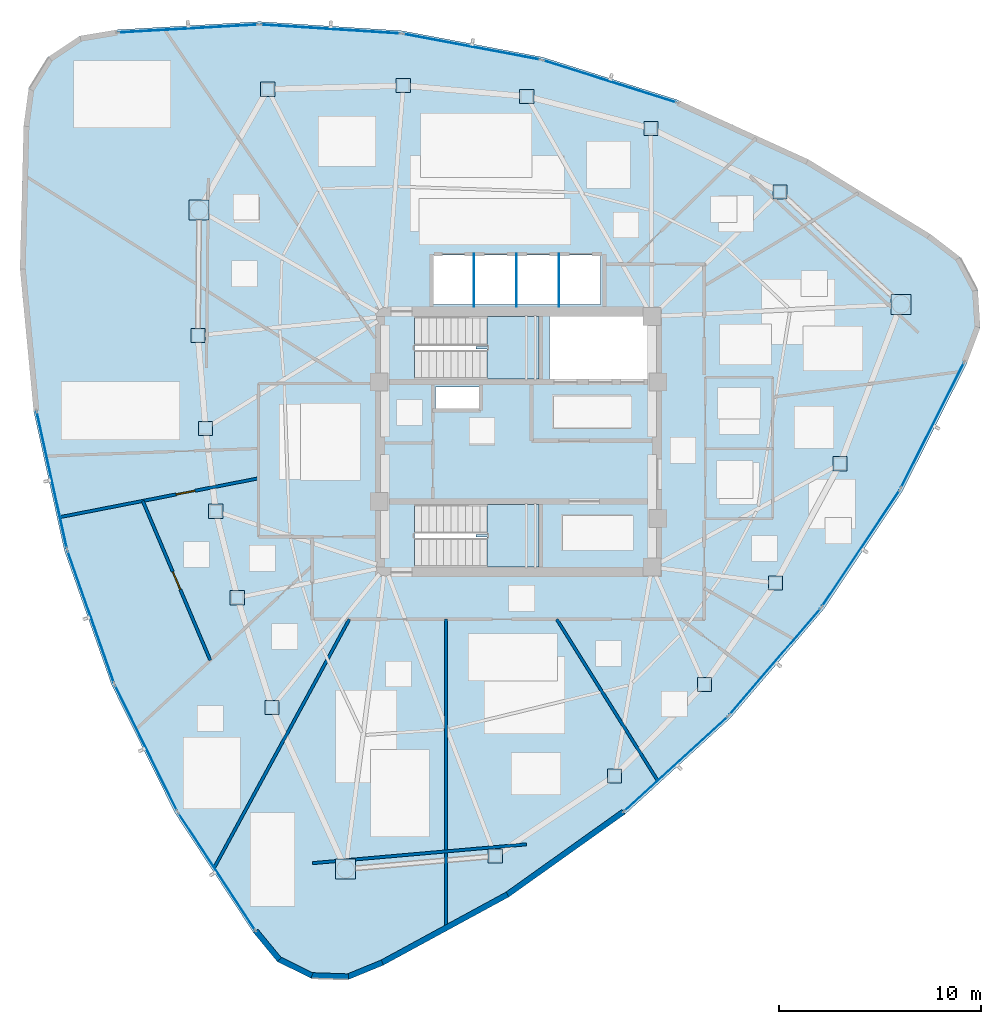
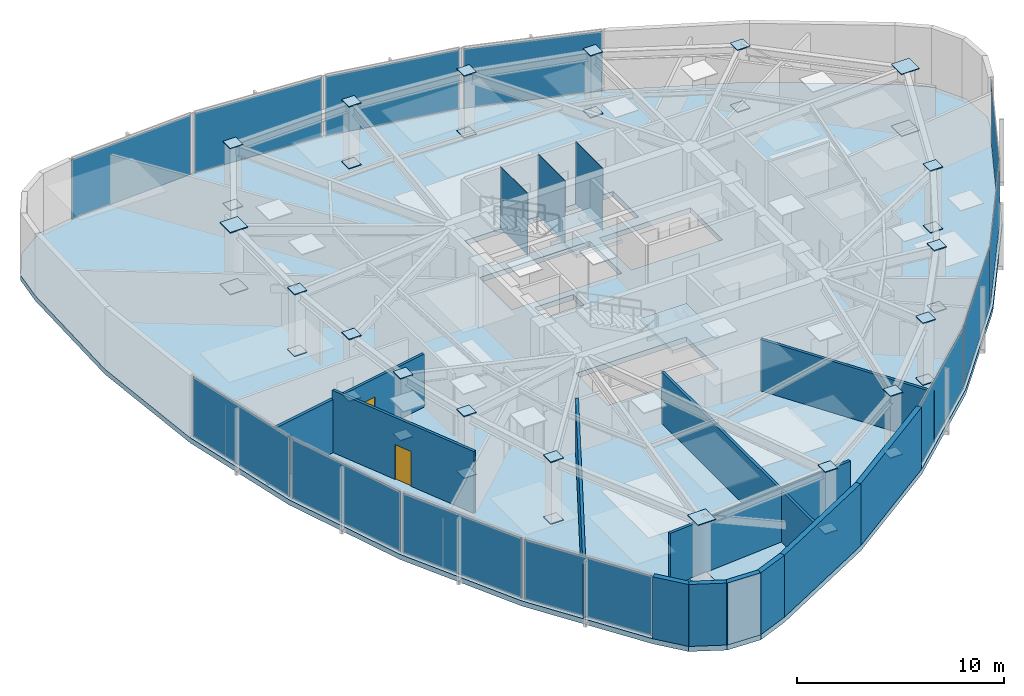
# One storey, part 8 of 14: 51 plates, 12 walls, 3 slabs, 2 doors, 2 openings, 14 elements without a shape of their own.
"""IFC4 building model written with IfcOpenShell, lengths in metres."""

import ifcopenshell
import ifcopenshell.guid

model = None  # the IFC model being written
_history = None  # IfcOwnerHistory: only IFC2X3 demands one
_inside = {}  # id of a spatial element -> (the spatial element, [elements in it])
_under = {}  # id of a project, library or spatial element -> (it, [spatial elements below it])
_declared = {}  # id of a project -> (the project, [libraries it declares])
_typed = {}  # id of a type object -> (the type object, [elements of that type])
_made_of = {}  # id of a material, layer set ... -> (it, [elements and type objects made of it])


def new_model(schema):
    """Start an empty IFC model of exactly this schema.

    Asked for "IFC4X3", IfcOpenShell would pick the latest addendum, in which some entities
    have other attributes; the version numbers below select the first issue.
    IFC2X3 requires an IfcOwnerHistory on every rooted entity: one is made here for all.
    """
    global model, _history
    if schema == "IFC4X3":
        model = ifcopenshell.file(schema_version=(4, 3, 0, 0))
    else:
        model = ifcopenshell.file(schema=schema)
    _inside.clear()
    _under.clear()
    _declared.clear()
    _typed.clear()
    _made_of.clear()
    _history = None
    if model.schema == "IFC2X3":
        org = make("IfcOrganization", Name="unknown")
        user = make(
            "IfcPersonAndOrganization",
            ThePerson=make("IfcPerson", FamilyName="unknown"),
            TheOrganization=org,
        )
        app = make(
            "IfcApplication",
            ApplicationDeveloper=org,
            Version="unknown",
            ApplicationFullName="unknown",
            ApplicationIdentifier="unknown",
        )
        _history = make(
            "IfcOwnerHistory",
            OwningUser=user,
            OwningApplication=app,
            ChangeAction="ADDED",
            CreationDate=0,
        )
    return model


def make(cls, **values):
    """One entity of the class cls with the attributes given. An attribute that is None is left unset."""
    return model.create_entity(
        cls, **{name: value for name, value in values.items() if value is not None}
    )


def rooted(cls, **values):
    """An entity with a GlobalId (a new one), such as an element, a storey or a relation."""
    return make(cls, GlobalId=ifcopenshell.guid.new(), OwnerHistory=_history, **values)


def si_unit(unit_type, name, prefix=None):
    """IfcSIUnit, for example si_unit("LENGTHUNIT", "METRE", prefix="MILLI")."""
    return make("IfcSIUnit", UnitType=unit_type, Prefix=prefix, Name=name)


def assignment(units):
    """IfcUnitAssignment: the units of a project."""
    return None if units is None else make("IfcUnitAssignment", Units=units)


def point(xyz):
    """IfcCartesianPoint."""
    return None if xyz is None else make("IfcCartesianPoint", Coordinates=xyz)


def direction(xyz):
    """IfcDirection."""
    return None if xyz is None else make("IfcDirection", DirectionRatios=xyz)


def frame(location, z_axis=None, x_axis=None):
    """IfcAxis2Placement3D, a coordinate frame: its origin and axes. An axis left out is left unset."""
    return make(
        "IfcAxis2Placement3D",
        Location=point(location),
        Axis=direction(z_axis),
        RefDirection=direction(x_axis),
    )


def frame_2d(location, x_axis=None):
    """IfcAxis2Placement2D, a coordinate frame in the plane: its origin and x axis."""
    return make(
        "IfcAxis2Placement2D", Location=point(location), RefDirection=direction(x_axis)
    )


def origin():
    """The frame at (0, 0, 0) with its axes left unset."""
    return frame((0.0, 0.0, 0.0))


def origin_2d():
    """The frame at (0, 0) in the plane with its x axis left unset."""
    return frame_2d((0.0, 0.0))


def place(relative_to, where):
    """IfcLocalPlacement: puts the frame where relative to a parent placement (None: the world)."""
    return make(
        "IfcLocalPlacement", PlacementRelTo=relative_to, RelativePlacement=where
    )


def context(
    kind, dimensions, precision=None, world=None, true_north=None, identifier=None
):
    """IfcGeometricRepresentationContext, for example the 3D "Model" context."""
    return make(
        "IfcGeometricRepresentationContext",
        ContextIdentifier=identifier,
        ContextType=kind,
        CoordinateSpaceDimension=dimensions,
        Precision=precision,
        WorldCoordinateSystem=world,
        TrueNorth=true_north,
    )


def subcontext(parent, identifier, kind, view, scale=None):
    """IfcGeometricRepresentationSubContext, for example "Body" below "Model"."""
    return make(
        "IfcGeometricRepresentationSubContext",
        ContextIdentifier=identifier,
        ContextType=kind,
        ParentContext=parent,
        TargetScale=scale,
        TargetView=view,
    )


def project(units=None, contexts=None):
    """IfcProject with its units and contexts."""
    return rooted(
        "IfcProject",
        Name="project",
        RepresentationContexts=contexts,
        UnitsInContext=assignment(units),
    )


def spatial(cls, under=None, at=None, **own):
    """A site, building, storey or space (cls), placed at a placement, below another one or the project."""
    s = rooted(cls, ObjectPlacement=at, **own)
    if under is not None:
        _under.setdefault(under.id(), (under, []))[1].append(s)
    return s


def polyline(points):
    """IfcPolyline through the points."""
    return make("IfcPolyline", Points=[point(p) for p in points])


def profile(cls, at=None, kind="AREA", **sizes):
    """A parametric profile (cls). Its sizes go by their IFC names, for example OverallWidth=200.0."""
    return make(cls, ProfileType=kind, Position=at, **sizes)


def rectangle(**sizes):
    """IfcRectangleProfileDef."""
    return profile("IfcRectangleProfileDef", **sizes)


def outline(outer, holes=None, kind="AREA"):
    """IfcArbitraryClosedProfileDef: a profile drawn as a closed curve; with holes, ...WithVoids."""
    if holes is None:
        return make("IfcArbitraryClosedProfileDef", ProfileType=kind, OuterCurve=outer)
    return make(
        "IfcArbitraryProfileDefWithVoids",
        ProfileType=kind,
        OuterCurve=outer,
        InnerCurves=holes,
    )


def extrude(swept, where, along, depth):
    """IfcExtrudedAreaSolid: the profile swept, set in the frame where, extruded along a direction by depth."""
    return make(
        "IfcExtrudedAreaSolid",
        SweptArea=swept,
        Position=where,
        ExtrudedDirection=direction(along),
        Depth=depth,
    )


def shape(context_of_items, identifier, shape_type, items):
    """IfcShapeRepresentation: the items that make up one representation, for example the "Body"."""
    return make(
        "IfcShapeRepresentation",
        ContextOfItems=context_of_items,
        RepresentationIdentifier=identifier,
        RepresentationType=shape_type,
        Items=items,
    )


def source(mapping_origin, context_of_items, identifier, shape_type, items):
    """IfcRepresentationMap: a shape defined once, which mapped items show again and again."""
    return make(
        "IfcRepresentationMap",
        MappingOrigin=mapping_origin,
        MappedRepresentation=shape(context_of_items, identifier, shape_type, items),
    )


def transform(
    local_origin,
    x_axis=None,
    y_axis=None,
    z_axis=None,
    scale=None,
    scale2=None,
    scale3=None,
    uniform=True,
):
    """IfcCartesianTransformationOperator3D, or its non-uniform kind. x_axis, y_axis, z_axis: its Axis1, 2, 3."""
    if uniform:
        return make(
            "IfcCartesianTransformationOperator3D",
            Axis1=direction(x_axis),
            Axis2=direction(y_axis),
            LocalOrigin=point(local_origin),
            Scale=scale,
            Axis3=direction(z_axis),
        )
    return make(
        "IfcCartesianTransformationOperator3DnonUniform",
        Axis1=direction(x_axis),
        Axis2=direction(y_axis),
        LocalOrigin=point(local_origin),
        Scale=scale,
        Axis3=direction(z_axis),
        Scale2=scale2,
        Scale3=scale3,
    )


def mapped(mapping_source, mapping_target):
    """IfcMappedItem: shows the shape of a source again, moved by a transform."""
    return make(
        "IfcMappedItem", MappingSource=mapping_source, MappingTarget=mapping_target
    )


def material(Name=None, Category=None):
    """IfcMaterial."""
    return make("IfcMaterial", Name=Name, Category=Category)


def layer(
    of_material, thickness, ventilated=None, Name=None, Category=None, Priority=None
):
    """IfcMaterialLayer: one layer of a wall or slab, of a material (None: an air gap)."""
    return make(
        "IfcMaterialLayer",
        Material=of_material,
        LayerThickness=thickness,
        IsVentilated=ventilated,
        Name=Name,
        Category=Category,
        Priority=Priority,
    )


def layer_set(layers, Name=None):
    """IfcMaterialLayerSet."""
    return make("IfcMaterialLayerSet", MaterialLayers=layers, LayerSetName=Name)


def made_of(thing, what):
    """Note that an element or type object is made of a material, layer set ...; save() writes the relation."""
    if what is not None:
        _made_of.setdefault(what.id(), (what, []))[1].append(thing)
    return thing


def type_object(cls, material=None, **own):
    """A type object (cls), such as IfcWallType, which elements share."""
    return made_of(rooted(cls, **own), material)


def type_shapes(of_type, sources):
    """Give a type object the sources (RepresentationMaps) that its elements show as mapped items."""
    of_type.RepresentationMaps = sources


def element(
    cls,
    number,
    at=None,
    inside=None,
    cuts=None,
    type_object=None,
    material=None,
    context=None,
    identifier="Body",
    shape_type=None,
    held_by="IfcProductDefinitionShape",
    body=None,
    shapes=None,
    **own,
):
    """One element of the class cls, such as IfcWall. Its Tag is "e" and its number.

    at: its placement. inside: the storey or other place that contains it. cuts: it is an
    opening in that element (IfcRelVoidsElement). A single representation is given by context,
    identifier, shape_type and body (its items); several are given by shapes. held_by: the class
    of the entity that holds the representations. save() writes the other relations.
    """
    e = rooted(cls, Tag="e%d" % number, ObjectPlacement=at, **own)
    if body is not None:
        shapes = [shape(context, identifier, shape_type, body)]
    if shapes is not None:
        e.Representation = make(held_by, Representations=shapes)
    if inside is not None:
        _inside.setdefault(inside.id(), (inside, []))[1].append(e)
    if cuts is not None:
        rooted(
            "IfcRelVoidsElement", RelatingBuildingElement=cuts, RelatedOpeningElement=e
        )
    if type_object is not None:
        _typed.setdefault(type_object.id(), (type_object, []))[1].append(e)
    return made_of(e, material)


def fill(opening, filler):
    """IfcRelFillsElement: the door or window that sits in an opening."""
    return rooted(
        "IfcRelFillsElement",
        RelatingOpeningElement=opening,
        RelatedBuildingElement=filler,
    )


def aggregate(whole, parts):
    """IfcRelAggregates: a whole, such as a stair, and the parts it consists of."""
    return rooted("IfcRelAggregates", RelatingObject=whole, RelatedObjects=parts)


def save(model, path):
    """Write the relations noted so far, then the file.

    IfcRelAggregates (storeys below a building ...), IfcRelContainedInSpatialStructure (elements
    in a storey), IfcRelDefinesByType, IfcRelAssociatesMaterial and IfcRelDeclares: one each for
    every whole, place, type object, material and project.
    """
    for whole, parts in _under.values():
        aggregate(whole, parts)
    for where, things in _inside.values():
        rooted(
            "IfcRelContainedInSpatialStructure",
            RelatedElements=things,
            RelatingStructure=where,
        )
    for kind, things in _typed.values():
        rooted("IfcRelDefinesByType", RelatedObjects=things, RelatingType=kind)
    for what, things in _made_of.values():
        rooted("IfcRelAssociatesMaterial", RelatedObjects=things, RelatingMaterial=what)
    for by, libraries in _declared.values():
        rooted("IfcRelDeclares", RelatingContext=by, RelatedDefinitions=libraries)
    model.write(path)


model = new_model("IFC4")

# Units and contexts
model_context = context("Model", 3, precision=1e-05, world=origin(), true_north=direction((0.0, 1.0)))
body_context = subcontext(model_context, "Body", "Model", "MODEL_VIEW")
ifc_project = project(units=[si_unit("LENGTHUNIT", "METRE"), si_unit("AREAUNIT", "SQUARE_METRE"), si_unit("VOLUMEUNIT", "CUBIC_METRE"), si_unit("PLANEANGLEUNIT", "RADIAN"), si_unit("MASSUNIT", "GRAM", prefix="KILO")], contexts=[model_context])

# Site, building, storey
site_placement = place(None, origin())
site = spatial("IfcSite", under=ifc_project, at=site_placement, CompositionType="ELEMENT")
building_placement = place(site_placement, origin())
building = spatial("IfcBuilding", under=site, at=building_placement, Name="Tavelor Broadcast Tower", CompositionType="ELEMENT")
storey_placement = place(building_placement, frame((0.0, 0.0, 234.0)))
storey = spatial("IfcBuildingStorey", under=building, at=storey_placement, Name="L55", CompositionType="ELEMENT", Elevation=234.0)

# Stair, slab
ifc_material_1 = material(Name="Concrete C40/50", Category="concrete")
stair_type = type_object("IfcStairType", Name="Reinforced Concrete Protected Dogleg Stair 1450 mm", PredefinedType="HALF_TURN_STAIR", material=ifc_material_1)
stair_1_placement = place(storey_placement, origin())
stair_1 = element("IfcStair", 1, at=stair_1_placement, inside=storey, type_object=stair_type, Name="L55 Protected Core Exit Stair ST1", PredefinedType="HALF_TURN_STAIR")
ifc_layer_1 = layer(ifc_material_1, 0.199951171875)
ifc_layer_set_1 = layer_set([ifc_layer_1], Name="Concrete C40/50")
slab_type_1 = type_object("IfcSlabType", Name="Reinforced Concrete Stair Half-Landing Slab 200 mm", PredefinedType="LANDING", material=ifc_layer_set_1)
slab_1_placement = place(storey_placement, frame((0.0, 0.0, 1.77490234375)))
slab_1 = element("IfcSlab", 2, at=slab_1_placement, type_object=slab_type_1, Name="ST1 landing 1", PredefinedType="LANDING", context=body_context, shape_type="SweptSolid", body=[
    extrude(outline(polyline([(48.445068359375, 49.590087890625), (48.445068359375, 48.094970703125), (51.0048828125, 48.094970703125), (51.0048828125, 51.205078125), (48.445068359375, 51.205078125), (48.445068359375, 49.7099609375), (47.905029296875, 49.7099609375), (47.905029296875, 49.590087890625), (48.445068359375, 49.590087890625)])), origin(), (0.0, 0.0, 1.0), 0.2001953125),
])
aggregate(stair_1, [slab_1])

stair_2_placement = place(storey_placement, origin())
stair_2 = element("IfcStair", 3, at=stair_2_placement, inside=storey, type_object=stair_type, Name="L55 Protected Core Exit Stair ST2", PredefinedType="HALF_TURN_STAIR")
slab_2_placement = place(storey_placement, frame((0.0, 0.0, 1.77490234375)))
slab_2 = element("IfcSlab", 4, at=slab_2_placement, type_object=slab_type_1, Name="ST2 landing 1", PredefinedType="LANDING", context=body_context, shape_type="SweptSolid", body=[
    extrude(outline(polyline([(48.445068359375, 40.2900390625), (48.445068359375, 38.794921875), (51.0048828125, 38.794921875), (51.0048828125, 41.905029296875), (48.445068359375, 41.905029296875), (48.445068359375, 40.409912109375), (47.905029296875, 40.409912109375), (47.905029296875, 40.2900390625), (48.445068359375, 40.2900390625)])), origin(), (0.0, 0.0, 1.0), 0.2001953125),
])
aggregate(stair_2, [slab_2])

# Slab
ifc_layer_2 = layer(ifc_material_1, 0.300048828125)
ifc_layer_set_2 = layer_set([ifc_layer_2], Name="Concrete C40/50")
slab_type_2 = type_object("IfcSlabType", Name="Tower Composite Floor Slab 300 mm", PredefinedType="FLOOR", material=ifc_layer_set_2)
slab_3_placement = place(storey_placement, frame((0.0, 0.0, -0.300048828125)))
element("IfcSlab", 5, at=slab_3_placement, inside=storey, type_object=slab_type_2, Name="L55 Structural Floor Slab", PredefinedType="FLOOR", context=body_context, shape_type="SweptSolid", body=[
    extrude(outline(polyline([(30.122802734375, 65.38134765625), (28.291259765625, 65.076416015625), (26.747314453125, 64.044921875), (25.7646484375, 62.46923828125), (25.517333984375, 60.62890625), (25.335205078125, 53.563232421875), (26.009521484375, 46.52734375), (27.5302734375, 39.624755859375), (29.875244140625, 32.95703125), (33.009765625, 26.6220703125), (36.8876953125, 20.712890625), (38.067626953125, 19.279052734375), (39.733154296875, 18.457763671875), (41.5888671875, 18.39453125), (43.306396484375, 19.1005859375), (49.516357421875, 22.475830078125), (55.2724609375, 26.57763671875), (60.489990234375, 31.345947265625), (65.091796875, 36.71044921875), (69.010986328125, 42.592529296875), (72.189208984375, 48.90576171875), (72.841064453125, 50.644287109375), (72.7197265625, 52.497314453125), (71.846435546875, 54.13623046875), (70.376220703125, 55.2705078125), (64.34814453125, 58.9609375), (57.91796875, 61.89501953125), (51.1796875, 64.029296875), (44.23291015625, 65.33251953125), (37.179443359375, 65.785400390625), (30.122802734375, 65.38134765625)]), holes=[polyline([(50.99609375, 41.89599609375), (50.99609375, 38.803955078125), (44.85400390625, 38.803955078125), (44.85400390625, 41.89599609375), (50.99609375, 41.89599609375)]), polyline([(48.050048828125, 47.699951171875), (48.050048828125, 46.64990234375), (45.89990234375, 46.64990234375), (45.89990234375, 47.699951171875), (48.050048828125, 47.699951171875)]), polyline([(50.99609375, 51.196044921875), (50.99609375, 48.10400390625), (44.85400390625, 48.10400390625), (44.85400390625, 51.196044921875), (50.99609375, 51.196044921875)]), polyline([(56.60009765625, 48.10009765625), (51.52001953125, 48.10009765625), (51.52001953125, 51.199951171875), (56.60009765625, 51.199951171875), (56.60009765625, 48.10009765625)]), polyline([(54.050048828125, 51.800048828125), (45.800048828125, 51.800048828125), (45.800048828125, 54.25), (54.050048828125, 54.25), (54.050048828125, 51.800048828125)])]), origin(), (0.0, 0.0, 1.0), 0.300048828125),
])

# Plates
ifc_material_2 = material(Name="Steel S460", Category="steel")
ifc_layer_3 = layer(ifc_material_2, 0.050048828125)
ifc_layer_set_3 = layer_set([ifc_layer_3], Name="Steel S460")
plate_type_1 = type_object("IfcPlateType", Name="Tube Hollow-End Cap Plate KN05 700x700x50", PredefinedType="USERDEFINED", material=ifc_layer_set_3)
shared_shape_1 = source(origin(), body_context, "Body", "SweptSolid", [
    extrude(rectangle(XDim=0.699951171875, YDim=0.699951171875, at=origin_2d()), origin(), (0.0, 0.0, 1.0), 0.054931640625),
])
for number, where, z_axis, x_axis, name in (
    (6, (34.13720703125, 50.255859375, -0.02734375), (0.0, 0.0, 1.0), (1.0, 0.0, 0.0), "L55 Hollow End Cap Plate KN05 #1617"),
    (7, (34.13720703125, 50.255859375, 3.62255859375), (0.0, 0.0, 1.0), (1.0, 0.0, 0.0), "L55 Hollow End Cap Plate KN05 #1618"),
    (8, (34.513671875, 45.66455078125, -0.02734375), (0.0, 0.0, 1.0), (1.0, 0.0, 0.0), "L55 Hollow End Cap Plate KN05 #1619"),
    (9, (34.513671875, 45.66455078125, 3.62255859375), (0.0, 0.0, 1.0), (1.0, 0.0, 0.0), "L55 Hollow End Cap Plate KN05 #1620"),
    (10, (35.018798828125, 41.56396484375, -0.02734375), (0.0, 0.0, 1.0), (1.0, 0.0, 0.0), "L55 Hollow End Cap Plate KN05 #1621"),
    (11, (35.018798828125, 41.56396484375, 3.62255859375), (0.0, 0.0, 1.0), (1.0, 0.0, 0.0), "L55 Hollow End Cap Plate KN05 #1622"),
    (12, (36.08349609375, 37.2822265625, -0.02734375), (0.0, 0.0, 1.0), (1.0, 0.0, 0.0), "L55 Hollow End Cap Plate KN05 #1623"),
    (13, (36.08349609375, 37.2822265625, 3.62255859375), (0.0, 0.0, 1.0), (1.0, 0.0, 0.0), "L55 Hollow End Cap Plate KN05 #1624"),
    (14, (37.797119140625, 31.853271484375, -0.02734375), (0.0, 0.0, 1.0), (1.0, 0.0, 0.0), "L55 Hollow End Cap Plate KN05 #1625"),
    (15, (37.797119140625, 31.853271484375, 3.62255859375), (0.0, 0.0, 1.0), (1.0, 0.0, 0.0), "L55 Hollow End Cap Plate KN05 #1626"),
    (16, (48.843994140625, 24.5048828125, -0.02734375), (0.0, 0.0, 1.0), (1.0, 0.0, 0.0), "L55 Hollow End Cap Plate KN05 #1629"),
    (17, (48.843994140625, 24.5048828125, 3.62255859375), (0.0, 0.0, 1.0), (1.0, 0.0, 0.0), "L55 Hollow End Cap Plate KN05 #1630"),
    (18, (54.754150390625, 28.461669921875, -0.02734375), (0.0, 0.0, 1.0), (1.0, 0.0, 0.0), "L55 Hollow End Cap Plate KN05 #1631"),
    (19, (54.754150390625, 28.461669921875, 3.62255859375), (0.0, 0.0, 1.0), (1.0, 0.0, 0.0), "L55 Hollow End Cap Plate KN05 #1632"),
    (20, (59.1923828125, 32.987060546875, -0.02734375), (0.0, 0.0, 1.0), (1.0, 0.0, 0.0), "L55 Hollow End Cap Plate KN05 #1633"),
    (21, (59.1923828125, 32.987060546875, 3.62255859375), (0.0, 0.0, 1.0), (1.0, 0.0, 0.0), "L55 Hollow End Cap Plate KN05 #1634"),
    (22, (62.7109375, 38.009033203125, -0.02734375), (0.0, 0.0, 1.0), (1.0, 0.0, 0.0), "L55 Hollow End Cap Plate KN05 #1635"),
    (23, (62.7109375, 38.009033203125, 3.62255859375), (0.0, 0.0, 1.0), (1.0, 0.0, 0.0), "L55 Hollow End Cap Plate KN05 #1636"),
    (24, (65.9072265625, 43.909423828125, -0.02734375), (0.0, 0.0, 1.0), (1.0, 0.0, 0.0), "L55 Hollow End Cap Plate KN05 #1637"),
    (25, (65.9072265625, 43.909423828125, 3.62255859375), (0.0, 0.0, 1.0), (1.0, 0.0, 0.0), "L55 Hollow End Cap Plate KN05 #1638"),
    (26, (62.92724609375, 57.364013671875, -0.02734375), (0.0, 0.0, 1.0), (1.0, 0.0, 0.0), "L55 Hollow End Cap Plate KN05 #1641"),
    (27, (62.92724609375, 57.364013671875, 3.62255859375), (0.0, 0.0, 1.0), (1.0, 0.0, 0.0), "L55 Hollow End Cap Plate KN05 #1642"),
    (28, (56.545654296875, 60.504150390625, -0.02734375), (0.0, 0.0, 1.0), (1.0, 0.0, 0.0), "L55 Hollow End Cap Plate KN05 #1643"),
    (29, (56.545654296875, 60.504150390625, 3.62255859375), (0.0, 0.0, 1.0), (1.0, 0.0, 0.0), "L55 Hollow End Cap Plate KN05 #1644"),
    (30, (50.4072265625, 62.0849609375, -0.02734375), (0.0, 0.0, 1.0), (1.0, 0.0, 0.0), "L55 Hollow End Cap Plate KN05 #1645"),
    (31, (50.4072265625, 62.0849609375, 3.62255859375), (0.0, 0.0, 1.0), (1.0, 0.0, 0.0), "L55 Hollow End Cap Plate KN05 #1646"),
    (32, (44.298828125, 62.621337890625, -0.02734375), (0.0, 0.0, 1.0), (1.0, 0.0, 0.0), "L55 Hollow End Cap Plate KN05 #1647"),
    (33, (44.298828125, 62.621337890625, 3.62255859375), (0.0, 0.0, 1.0), (1.0, 0.0, 0.0), "L55 Hollow End Cap Plate KN05 #1648"),
    (34, (37.5908203125, 62.439208984375, -0.02734375), (0.0, 0.0, 1.0), (1.0, 0.0, 0.0), "L55 Hollow End Cap Plate KN05 #1649"),
    (35, (37.5908203125, 62.439208984375, 3.62255859375), (0.0, 0.0, 1.0), (1.0, 0.0, 0.0), "L55 Hollow End Cap Plate KN05 #1650"),
):
    element("IfcPlate", number, at=place(storey_placement, frame(where, z_axis=z_axis, x_axis=x_axis)), inside=storey, type_object=plate_type_1, Name=name, ObjectType="CAP PLATE", PredefinedType="USERDEFINED", context=body_context, shape_type="MappedRepresentation", body=[
        mapped(shared_shape_1, transform((0.0, 0.0, 0.0), scale=1.0)),
    ])
shared_shape_2 = source(origin(), body_context, "Body", "SweptSolid", [
    extrude(rectangle(XDim=0.993896484375, YDim=0.993896484375, at=origin_2d()), origin(), (0.0, 0.0, 1.0), 0.054931640625),
])
type_shapes(plate_type_1, [shared_shape_1, shared_shape_2])
for number, where, z_axis, x_axis, name in (
    (36, (34.1962890625, 56.4599609375, -0.02734375), (0.0, 0.0, 1.0), (1.0, 0.0, 0.0), "L55 Hollow End Cap Plate KN05 #1615"),
    (37, (34.1962890625, 56.4599609375, 3.62255859375), (0.0, 0.0, 1.0), (1.0, 0.0, 0.0), "L55 Hollow End Cap Plate KN05 #1616"),
    (38, (41.440185546875, 23.853759765625, -0.02734375), (0.0, 0.0, 1.0), (1.0, 0.0, 0.0), "L55 Hollow End Cap Plate KN05 #1627"),
    (39, (41.440185546875, 23.853759765625, 3.62255859375), (0.0, 0.0, 1.0), (1.0, 0.0, 0.0), "L55 Hollow End Cap Plate KN05 #1628"),
    (40, (68.919677734375, 51.799072265625, -0.02734375), (0.0, 0.0, 1.0), (1.0, 0.0, 0.0), "L55 Hollow End Cap Plate KN05 #1639"),
    (41, (68.919677734375, 51.799072265625, 3.62255859375), (0.0, 0.0, 1.0), (1.0, 0.0, 0.0), "L55 Hollow End Cap Plate KN05 #1640"),
):
    element("IfcPlate", number, at=place(storey_placement, frame(where, z_axis=z_axis, x_axis=x_axis)), inside=storey, type_object=plate_type_1, Name=name, ObjectType="CAP PLATE", PredefinedType="USERDEFINED", context=body_context, shape_type="MappedRepresentation", body=[
        mapped(shared_shape_2, transform((0.0, 0.0, 0.0), scale=1.0)),
    ])
ifc_material_3 = material(Name="Steel S355", Category="steel")
ifc_layer_4 = layer(ifc_material_3, 0.011962890625)
ifc_layer_set_4 = layer_set([ifc_layer_4], Name="Steel S355")
plate_type_2 = type_object("IfcPlateType", Name="Hoistway Steel Separator Screen 12 mm", PredefinedType="SHEET", material=ifc_layer_set_4)
shared_shape_3 = source(origin(), body_context, "Body", "SweptSolid", [
    extrude(rectangle(XDim=0.02001953125, YDim=2.6201171875, at=origin_2d()), origin(), (0.0, 0.0, 1.0), 3.64990234375),
])
type_shapes(plate_type_2, [shared_shape_3])
for number, where, z_axis, x_axis, name in (
    (42, (47.800048828125, 52.989990234375, 0.0), (0.0, 0.0, 1.0), (1.0, 0.0, 0.0), "L55 High-Rise Hoistway Separator Screen 1"),
    (43, (49.89990234375, 52.989990234375, 0.0), (0.0, 0.0, 1.0), (1.0, 0.0, 0.0), "L55 High-Rise Hoistway Separator Screen 2"),
    (44, (52.0, 52.989990234375, 0.0), (0.0, 0.0, 1.0), (1.0, 0.0, 0.0), "L55 High-Rise Hoistway Separator Screen 3"),
):
    element("IfcPlate", number, at=place(storey_placement, frame(where, z_axis=z_axis, x_axis=x_axis)), inside=storey, type_object=plate_type_2, Name=name, PredefinedType="SHEET", context=body_context, shape_type="MappedRepresentation", body=[
        mapped(shared_shape_3, transform((0.0, 0.0, 0.0), scale=1.0)),
    ])

# Curtain wall, plate
ifc_material_4 = material(Name="Architectural Anodized Aluminium", Category="aluminium")
ifc_layer_5 = layer(ifc_material_4, 0.199951171875)
ifc_layer_set_5 = layer_set([ifc_layer_5], Name="Architectural Anodized Aluminium")
curtain_wall_type = type_object("IfcCurtainWallType", Name="Tower High-Zone Triple-Glazed Curtain Wall CW04", PredefinedType="NOTDEFINED", material=ifc_layer_set_5)
curtain_wall_1_placement = place(storey_placement, origin())
curtain_wall_1 = element("IfcCurtainWall", 45, at=curtain_wall_1_placement, inside=storey, type_object=curtain_wall_type, Name="L55 Curtain Wall CW04 Run 589", PredefinedType="NOTDEFINED")
ifc_material_5 = material(Name="High-Altitude Triple Glazing 36 mm", Category="glass")
ifc_layer_6 = layer(ifc_material_5, 0.035888671875)
ifc_layer_set_6 = layer_set([ifc_layer_6], Name="High-Altitude Triple Glazing 36 mm")
plate_type_3 = type_object("IfcPlateType", Name="CW04 Insulated Vision Glazing Panel 36 mm", PredefinedType="CURTAIN_PANEL", material=ifc_layer_set_6)
shared_shape_4 = source(origin(), body_context, "Body", "SweptSolid", [
    extrude(rectangle(XDim=6.89599609375, YDim=0.035888671875, at=origin_2d()), origin(), (0.0, 0.0, 1.0), 3.510009765625),
])
plate_1_placement = place(storey_placement, frame((26.905029296875, 43.113525390625, 0.06982421875), z_axis=(0.0, 0.0, 1.0), x_axis=(0.215151340708, -0.976580718933, 0.0)))
plate_1 = element("IfcPlate", 46, at=plate_1_placement, type_object=plate_type_3, Name="CW04 panel 1.1", PredefinedType="CURTAIN_PANEL", context=body_context, shape_type="MappedRepresentation", body=[
    mapped(shared_shape_4, transform((0.0, 0.0, 0.0), scale=1.0)),
])
aggregate(curtain_wall_1, [plate_1])

curtain_wall_2_placement = place(storey_placement, origin())
curtain_wall_2 = element("IfcCurtainWall", 47, at=curtain_wall_2_placement, inside=storey, type_object=curtain_wall_type, Name="L55 Curtain Wall CW04 Run 593", PredefinedType="NOTDEFINED")
plate_2_placement = place(storey_placement, frame((57.78125, 29.06005859375, 0.06982421875), z_axis=(0.0, 0.0, 1.0), x_axis=(0.738164488057, 0.674620773895, 0.0)))
plate_2 = element("IfcPlate", 48, at=plate_2_placement, type_object=plate_type_3, Name="CW04 panel 1.1", PredefinedType="CURTAIN_PANEL", context=body_context, shape_type="MappedRepresentation", body=[
    mapped(shared_shape_4, transform((0.0, 0.0, 0.0), scale=1.0)),
])
aggregate(curtain_wall_2, [plate_2])

curtain_wall_3_placement = place(storey_placement, origin())
curtain_wall_3 = element("IfcCurtainWall", 49, at=curtain_wall_3_placement, inside=storey, type_object=curtain_wall_type, Name="L55 Curtain Wall CW04 Run 597", PredefinedType="NOTDEFINED")
plate_3_placement = place(storey_placement, frame((54.513671875, 62.826416015625, 0.06982421875), z_axis=(0.0, 0.0, 1.0), x_axis=(-0.953320679848, 0.301959734691, 0.0)))
plate_3 = element("IfcPlate", 50, at=plate_3_placement, type_object=plate_type_3, Name="CW04 panel 1.1", PredefinedType="CURTAIN_PANEL", context=body_context, shape_type="MappedRepresentation", body=[
    mapped(shared_shape_4, transform((0.0, 0.0, 0.0), scale=1.0)),
])
aggregate(curtain_wall_3, [plate_3])

curtain_wall_4_placement = place(storey_placement, origin())
curtain_wall_4 = element("IfcCurtainWall", 51, at=curtain_wall_4_placement, inside=storey, type_object=curtain_wall_type, Name="L55 Curtain Wall CW04 Run 590", PredefinedType="NOTDEFINED")
shared_shape_5 = source(origin(), body_context, "Body", "SweptSolid", [
    extrude(rectangle(XDim=6.881103515625, YDim=0.035888671875, at=origin_2d()), origin(), (0.0, 0.0, 1.0), 3.510009765625),
])
plate_4_placement = place(storey_placement, frame((28.8349609375, 36.33740234375, 0.06982421875), z_axis=(0.0, 0.0, 1.0), x_axis=(0.331759753954, -0.943363909452, 0.0)))
plate_4 = element("IfcPlate", 52, at=plate_4_placement, type_object=plate_type_3, Name="CW04 panel 1.1", PredefinedType="CURTAIN_PANEL", context=body_context, shape_type="MappedRepresentation", body=[
    mapped(shared_shape_5, transform((0.0, 0.0, 0.0), scale=1.0)),
])
aggregate(curtain_wall_4, [plate_4])

curtain_wall_5_placement = place(storey_placement, origin())
curtain_wall_5 = element("IfcCurtainWall", 53, at=curtain_wall_5_placement, inside=storey, type_object=curtain_wall_type, Name="L55 Curtain Wall CW04 Run 591", PredefinedType="NOTDEFINED")
plate_5_placement = place(storey_placement, frame((31.56787109375, 29.851806640625, 0.06982421875), z_axis=(0.0, 0.0, 1.0), x_axis=(0.443483750861, -0.896282412369, 0.0)))
plate_5 = element("IfcPlate", 54, at=plate_5_placement, type_object=plate_type_3, Name="CW04 panel 1.1", PredefinedType="CURTAIN_PANEL", context=body_context, shape_type="MappedRepresentation", body=[
    mapped(shared_shape_5, transform((0.0, 0.0, 0.0), scale=1.0)),
])
aggregate(curtain_wall_5, [plate_5])

curtain_wall_6_placement = place(storey_placement, origin())
curtain_wall_6 = element("IfcCurtainWall", 55, at=curtain_wall_6_placement, inside=storey, type_object=curtain_wall_type, Name="L55 Curtain Wall CW04 Run 595", PredefinedType="NOTDEFINED")
plate_6_placement = place(storey_placement, frame((66.934814453125, 39.729248046875, 0.06982421875), z_axis=(0.0, 0.0, 1.0), x_axis=(0.554470099887, 0.83220364595, 0.0)))
plate_6 = element("IfcPlate", 56, at=plate_6_placement, type_object=plate_type_3, Name="CW04 panel 1.1", PredefinedType="CURTAIN_PANEL", context=body_context, shape_type="MappedRepresentation", body=[
    mapped(shared_shape_5, transform((0.0, 0.0, 0.0), scale=1.0)),
])
aggregate(curtain_wall_6, [plate_6])

curtain_wall_7_placement = place(storey_placement, origin())
curtain_wall_7 = element("IfcCurtainWall", 57, at=curtain_wall_7_placement, inside=storey, type_object=curtain_wall_type, Name="L55 Curtain Wall CW04 Run 598", PredefinedType="NOTDEFINED")
plate_7_placement = place(storey_placement, frame((47.6806640625, 64.543212890625, 0.06982421875), z_axis=(0.0, 0.0, 1.0), x_axis=(-0.982853639431, 0.184387427603, 0.0)))
plate_7 = element("IfcPlate", 58, at=plate_7_placement, type_object=plate_type_3, Name="CW04 panel 1.1", PredefinedType="CURTAIN_PANEL", context=body_context, shape_type="MappedRepresentation", body=[
    mapped(shared_shape_5, transform((0.0, 0.0, 0.0), scale=1.0)),
])
aggregate(curtain_wall_7, [plate_7])

curtain_wall_8_placement = place(storey_placement, origin())
curtain_wall_8 = element("IfcCurtainWall", 59, at=curtain_wall_8_placement, inside=storey, type_object=curtain_wall_type, Name="L55 Curtain Wall CW04 Run 599", PredefinedType="NOTDEFINED")
plate_8_placement = place(storey_placement, frame((40.697265625, 65.419189453125, 0.06982421875), z_axis=(0.0, 0.0, 1.0), x_axis=(-0.99794483397, 0.064078922847, 0.0)))
plate_8 = element("IfcPlate", 60, at=plate_8_placement, type_object=plate_type_3, Name="CW04 panel 1.1", PredefinedType="CURTAIN_PANEL", context=body_context, shape_type="MappedRepresentation", body=[
    mapped(shared_shape_5, transform((0.0, 0.0, 0.0), scale=1.0)),
])
aggregate(curtain_wall_8, [plate_8])

curtain_wall_9_placement = place(storey_placement, origin())
curtain_wall_9 = element("IfcCurtainWall", 61, at=curtain_wall_9_placement, inside=storey, type_object=curtain_wall_type, Name="L55 Curtain Wall CW04 Run 592", PredefinedType="NOTDEFINED")
shared_shape_6 = source(origin(), body_context, "Body", "SweptSolid", [
    extrude(rectangle(XDim=6.89697265625, YDim=0.035888671875, at=origin_2d()), origin(), (0.0, 0.0, 1.0), 3.510009765625),
])
plate_9_placement = place(storey_placement, frame((35.070068359375, 23.73779296875, 0.06982421875), z_axis=(0.0, 0.0, 1.0), x_axis=(0.548681273232, -0.836031614477, 0.0)))
plate_9 = element("IfcPlate", 62, at=plate_9_placement, type_object=plate_type_3, Name="CW04 panel 1.1", PredefinedType="CURTAIN_PANEL", context=body_context, shape_type="MappedRepresentation", body=[
    mapped(shared_shape_6, transform((0.0, 0.0, 0.0), scale=1.0)),
])
aggregate(curtain_wall_9, [plate_9])

curtain_wall_10_placement = place(storey_placement, origin())
curtain_wall_10 = element("IfcCurtainWall", 63, at=curtain_wall_10_placement, inside=storey, type_object=curtain_wall_type, Name="L55 Curtain Wall CW04 Run 596", PredefinedType="NOTDEFINED")
plate_10_placement = place(storey_placement, frame((70.478759765625, 45.819091796875, 0.06982421875), z_axis=(0.0, 0.0, 1.0), x_axis=(0.449690183951, 0.893184604916, 0.0)))
plate_10 = element("IfcPlate", 64, at=plate_10_placement, type_object=plate_type_3, Name="CW04 panel 1.1", PredefinedType="CURTAIN_PANEL", context=body_context, shape_type="MappedRepresentation", body=[
    mapped(shared_shape_6, transform((0.0, 0.0, 0.0), scale=1.0)),
])
aggregate(curtain_wall_10, [plate_10])

curtain_wall_11_placement = place(storey_placement, origin())
curtain_wall_11 = element("IfcCurtainWall", 65, at=curtain_wall_11_placement, inside=storey, type_object=curtain_wall_type, Name="L55 Curtain Wall CW04 Run 600", PredefinedType="NOTDEFINED")
plate_11_placement = place(storey_placement, frame((33.651123046875, 65.443115234375, 0.06982421875), z_axis=(0.0, 0.0, 1.0), x_axis=(-0.998366127039, -0.057140846867, 0.0)))
plate_11 = element("IfcPlate", 66, at=plate_11_placement, type_object=plate_type_3, Name="CW04 panel 1.1", PredefinedType="CURTAIN_PANEL", context=body_context, shape_type="MappedRepresentation", body=[
    mapped(shared_shape_6, transform((0.0, 0.0, 0.0), scale=1.0)),
])
aggregate(curtain_wall_11, [plate_11])

curtain_wall_12_placement = place(storey_placement, origin())
curtain_wall_12 = element("IfcCurtainWall", 67, at=curtain_wall_12_placement, inside=storey, type_object=curtain_wall_type, Name="L55 Curtain Wall CW04 Run 594", PredefinedType="NOTDEFINED")
shared_shape_7 = source(origin(), body_context, "Body", "SweptSolid", [
    extrude(rectangle(XDim=6.880859375, YDim=0.035888671875, at=origin_2d()), origin(), (0.0, 0.0, 1.0), 3.510009765625),
])
type_shapes(plate_type_3, [shared_shape_4, shared_shape_5, shared_shape_6, shared_shape_7])
plate_12_placement = place(storey_placement, frame((62.6845703125, 34.119384765625, 0.06982421875), z_axis=(0.0, 0.0, 1.0), x_axis=(0.651108015845, 0.758985080026, 0.0)))
plate_12 = element("IfcPlate", 68, at=plate_12_placement, type_object=plate_type_3, Name="CW04 panel 1.1", PredefinedType="CURTAIN_PANEL", context=body_context, shape_type="MappedRepresentation", body=[
    mapped(shared_shape_7, transform((0.0, 0.0, 0.0), scale=1.0)),
])
aggregate(curtain_wall_12, [plate_12])

# Walls
ifc_material_6 = material(Name="Precast Concrete C40/50", Category="concrete")
ifc_layer_7 = layer(ifc_material_6, 0.280029296875)
ifc_layer_set_7 = layer_set([ifc_layer_7], Name="Precast Concrete C40/50")
wall_type_1 = type_object("IfcWallType", Name="Insulated Precast Terracotta Facade Wall 280 mm", PredefinedType="STANDARD", material=ifc_layer_set_7)
wall_1_placement = place(storey_placement, frame((36.998291015625, 20.79931640625, 0.0), z_axis=(0.0, 0.0, 1.0), x_axis=(0.635325471652, -0.772244485296, 0.0)))
element("IfcWall", 69, at=wall_1_placement, inside=storey, type_object=wall_type_1, Name="L55 Rounded Corner Structural Cladding Pier 11", PredefinedType="STANDARD", context=body_context, shape_type="SweptSolid", body=[
    extrude(rectangle(XDim=1.83837890625, YDim=0.280029296875, at=frame_2d((0.919189453125, 0.0))), origin(), (0.0, 0.0, 1.0), 3.64990234375),
])
for number, where, z_axis, x_axis, name in (
    (70, (38.143310546875, 19.39794921875, 0.0), (0.0, 0.0, 1.0), (0.896873049512, -0.442288065698, 0.0), "L55 Rounded Corner Structural Cladding Pier 12"),
    (71, (39.7529296875, 18.59716796875, 0.0), (0.0, 0.0, 1.0), (0.999419100646, -0.034080218062, 0.0), "L55 Rounded Corner Structural Cladding Pier 13"),
):
    element("IfcWall", number, at=place(storey_placement, frame(where, z_axis=z_axis, x_axis=x_axis)), inside=storey, type_object=wall_type_1, Name=name, PredefinedType="STANDARD", context=body_context, shape_type="SweptSolid", body=[
        extrude(rectangle(XDim=1.82666015625, YDim=0.280029296875, at=frame_2d((0.913330078125, 0.0))), origin(), (0.0, 0.0, 1.0), 3.64990234375),
    ])
wall_2_placement = place(storey_placement, frame((41.5498046875, 18.52978515625, 0.0), z_axis=(0.0, 0.0, 1.0), x_axis=(0.924883043388, 0.380251700922, 0.0)))
element("IfcWall", 72, at=wall_2_placement, inside=storey, type_object=wall_type_1, Name="L55 Rounded Corner Structural Cladding Pier 14", PredefinedType="STANDARD", context=body_context, shape_type="SweptSolid", body=[
    extrude(rectangle(XDim=1.84912109375, YDim=0.280029296875, at=frame_2d((0.924560546875, 0.0))), origin(), (0.0, 0.0, 1.0), 3.64990234375),
])
wall_3_placement = place(storey_placement, frame((43.23291015625, 19.22021484375, 0.0), z_axis=(0.0, 0.0, 1.0), x_axis=(0.878619164343, 0.47752315551, 0.0)))
element("IfcWall", 73, at=wall_3_placement, inside=storey, type_object=wall_type_1, Name="L55 Rounded Corner Structural Cladding Pier 15", PredefinedType="STANDARD", context=body_context, shape_type="SweptSolid", body=[
    extrude(rectangle(XDim=7.08203125, YDim=0.280029296875, at=frame_2d((3.541015625, 0.0))), origin(), (0.0, 0.0, 1.0), 3.64990234375),
])
wall_4_placement = place(storey_placement, frame((49.429931640625, 22.586181640625, 0.0), z_axis=(0.0, 0.0, 1.0), x_axis=(0.81436995938, 0.580346077146, 0.0)))
element("IfcWall", 74, at=wall_4_placement, inside=storey, type_object=wall_type_1, Name="L55 Rounded Corner Structural Cladding Pier 16", PredefinedType="STANDARD", context=body_context, shape_type="SweptSolid", body=[
    extrude(rectangle(XDim=7.070068359375, YDim=0.280029296875, at=frame_2d((3.53515625, 0.0))), origin(), (0.0, 0.0, 1.0), 3.64990234375),
])
ifc_material_7 = material(Name="Gypsum Acoustic Plasterboard 150 mm", Category="gypsum")
ifc_layer_8 = layer(ifc_material_7, 0.14990234375)
ifc_layer_set_8 = layer_set([ifc_layer_8], Name="Gypsum Acoustic Plasterboard 150 mm")
wall_type_2 = type_object("IfcWallType", Name="Interior Acoustic Partition Wall 150 mm", PredefinedType="PARTITIONING", material=ifc_layer_set_8)
wall_5_placement = place(storey_placement, frame((39.807861328125, 24.15185546875, 0.0), z_axis=(0.0, 0.0, 1.0), x_axis=(0.996153584085, 0.087624408208, 0.0)))
element("IfcWall", 75, at=wall_5_placement, inside=storey, type_object=wall_type_2, Name="L55 Corner Tube Brace Furring Wall 2", PredefinedType="PARTITIONING", context=body_context, shape_type="SweptSolid", body=[
    extrude(rectangle(XDim=10.63232421875, YDim=0.14990234375, at=frame_2d((5.316162109375, 0.0))), origin(), (0.0, 0.0, 1.0), 3.135009765625),
])

# Wall, opening, door
wall_6_placement = place(storey_placement, frame((37.080078125, 43.179443359375, 0.0), z_axis=(0.0, 0.0, 1.0), x_axis=(-0.981451929538, -0.19170839837, 0.0)))
wall_6 = element("IfcWall", 76, at=wall_6_placement, inside=storey, type_object=wall_type_2, Name="L55 Radial Compartment Wall 09", PredefinedType="PARTITIONING", context=body_context, shape_type="SweptSolid", body=[
    extrude(rectangle(XDim=9.9638671875, YDim=0.14990234375, at=frame_2d((4.98193359375, 0.0))), origin(), (0.0, 0.0, 1.0), 3.135009765625),
])
opening_1_placement = place(wall_6_placement, frame((3.14990234375, 0.0, 0.0)))
opening_1 = element("IfcOpeningElement", 77, at=opening_1_placement, cuts=wall_6, Name="Opening DR18", PredefinedType="OPENING", context=body_context, shape_type="SweptSolid", body=[
    extrude(rectangle(XDim=0.949951171875, YDim=2.050048828125, at=frame_2d((0.47509765625, 1.02490234375))), frame((0.0, 0.0849609375, 0.0), z_axis=(0.0, -1.0, 0.0), x_axis=(1.0, 0.0, 0.0)), (0.0, 0.0, 1.0), 0.169921875),
])
ifc_material_8 = material(Name="Timber Solid Core Hardwood", Category="wood")
door_type_1 = type_object("IfcDoorType", Name="Corridor Rated Compartment Door 950x2050", OperationType="NOTDEFINED", PredefinedType="DOOR", material=ifc_material_8)
door_1_placement = place(opening_1_placement, origin())
door_1 = element("IfcDoor", 78, at=door_1_placement, inside=storey, type_object=door_type_1, Name="L55 Suite Connecting Door 5", OperationType="SINGLE_SWING_LEFT", OverallHeight=2.050048828125, OverallWidth=0.949951171875, PredefinedType="DOOR", context=body_context, shape_type="SweptSolid", body=[
    extrude(rectangle(XDim=0.949951171875, YDim=2.050048828125, at=frame_2d((0.47509765625, 1.02490234375))), frame((0.0, 0.02490234375, 0.0), z_axis=(0.0, -1.0, 0.0), x_axis=(1.0, 0.0, 0.0)), (0.0, 0.0, 1.0), 0.050048828125),
])
fill(opening_1, door_1)

# Walls
wall_7_placement = place(storey_placement, frame((41.626708984375, 36.219970703125, 0.0), z_axis=(0.0, 0.0, 1.0), x_axis=(-0.477632416443, -0.878559773017, 0.0)))
element("IfcWall", 79, at=wall_7_placement, inside=storey, type_object=wall_type_2, Name="L55 Radial Compartment Wall 11", PredefinedType="PARTITIONING", context=body_context, shape_type="SweptSolid", body=[
    extrude(rectangle(XDim=14.00146484375, YDim=0.14990234375, at=frame_2d((7.000732421875, 0.0))), origin(), (0.0, 0.0, 1.0), 3.135009765625),
])
wall_8_placement = place(storey_placement, frame((46.406005859375, 36.219970703125, 0.0), z_axis=(0.0, 0.0, 1.0), x_axis=(0.000687010542, -0.999999764008, 0.0)))
element("IfcWall", 80, at=wall_8_placement, inside=storey, type_object=wall_type_2, Name="L55 Radial Compartment Wall 12", PredefinedType="PARTITIONING", context=body_context, shape_type="SweptSolid", body=[
    extrude(rectangle(XDim=15.28076171875, YDim=0.14990234375, at=frame_2d((7.640380859375, 0.0))), origin(), (0.0, 0.0, 1.0), 3.02490234375),
])
wall_9_placement = place(storey_placement, frame((51.8896484375, 36.219970703125, 0.0), z_axis=(0.0, 0.0, 1.0), x_axis=(0.530126999074, -0.847918253638, 0.0)))
element("IfcWall", 81, at=wall_9_placement, inside=storey, type_object=wall_type_2, Name="L55 Radial Compartment Wall 13", PredefinedType="PARTITIONING", context=body_context, shape_type="SweptSolid", body=[
    extrude(rectangle(XDim=9.4248046875, YDim=0.14990234375, at=frame_2d((4.71240234375, 0.0))), origin(), (0.0, 0.0, 1.0), 3.02490234375),
])

# Wall, opening, door
wall_10_placement = place(storey_placement, frame((31.408203125, 42.07177734375, 0.0), z_axis=(0.0, 0.0, 1.0), x_axis=(0.390117904901, -0.920764910428, 0.0)))
wall_10 = element("IfcWall", 82, at=wall_10_placement, inside=storey, type_object=wall_type_2, Name="L55 Suite Chord Partition Wall 01", PredefinedType="PARTITIONING", context=body_context, shape_type="SweptSolid", body=[
    extrude(rectangle(XDim=8.56494140625, YDim=0.14990234375, at=frame_2d((4.282470703125, 0.0))), origin(), (0.0, 0.0, 1.0), 3.64990234375),
])
opening_2_placement = place(wall_10_placement, frame((3.807373046875, 0.0, 0.0)))
opening_2 = element("IfcOpeningElement", 83, at=opening_2_placement, cuts=wall_10, Name="Opening DR23", PredefinedType="OPENING", context=body_context, shape_type="SweptSolid", body=[
    extrude(rectangle(XDim=0.949951171875, YDim=2.050048828125, at=frame_2d((0.47509765625, 1.02490234375))), frame((0.0, 0.0849609375, 0.0), z_axis=(0.0, -1.0, 0.0), x_axis=(1.0, 0.0, 0.0)), (0.0, 0.0, 1.0), 0.169921875),
])
door_type_2 = type_object("IfcDoorType", Name="Editorial Room Acoustic Door 950x2050", OperationType="NOTDEFINED", PredefinedType="DOOR", material=ifc_material_8)
door_2_placement = place(opening_2_placement, origin())
door_2 = element("IfcDoor", 84, at=door_2_placement, inside=storey, type_object=door_type_2, Name="L55 Outer Suite Partition Door 1", OperationType="SINGLE_SWING_LEFT", OverallHeight=2.050048828125, OverallWidth=0.949951171875, PredefinedType="DOOR", context=body_context, shape_type="SweptSolid", body=[
    extrude(rectangle(XDim=0.949951171875, YDim=2.050048828125, at=frame_2d((0.47509765625, 1.02490234375))), frame((0.0, 0.02490234375, 0.0), z_axis=(0.0, -1.0, 0.0), x_axis=(1.0, 0.0, 0.0)), (0.0, 0.0, 1.0), 0.050048828125),
])
fill(opening_2, door_2)

save(model, "model.ifc")
